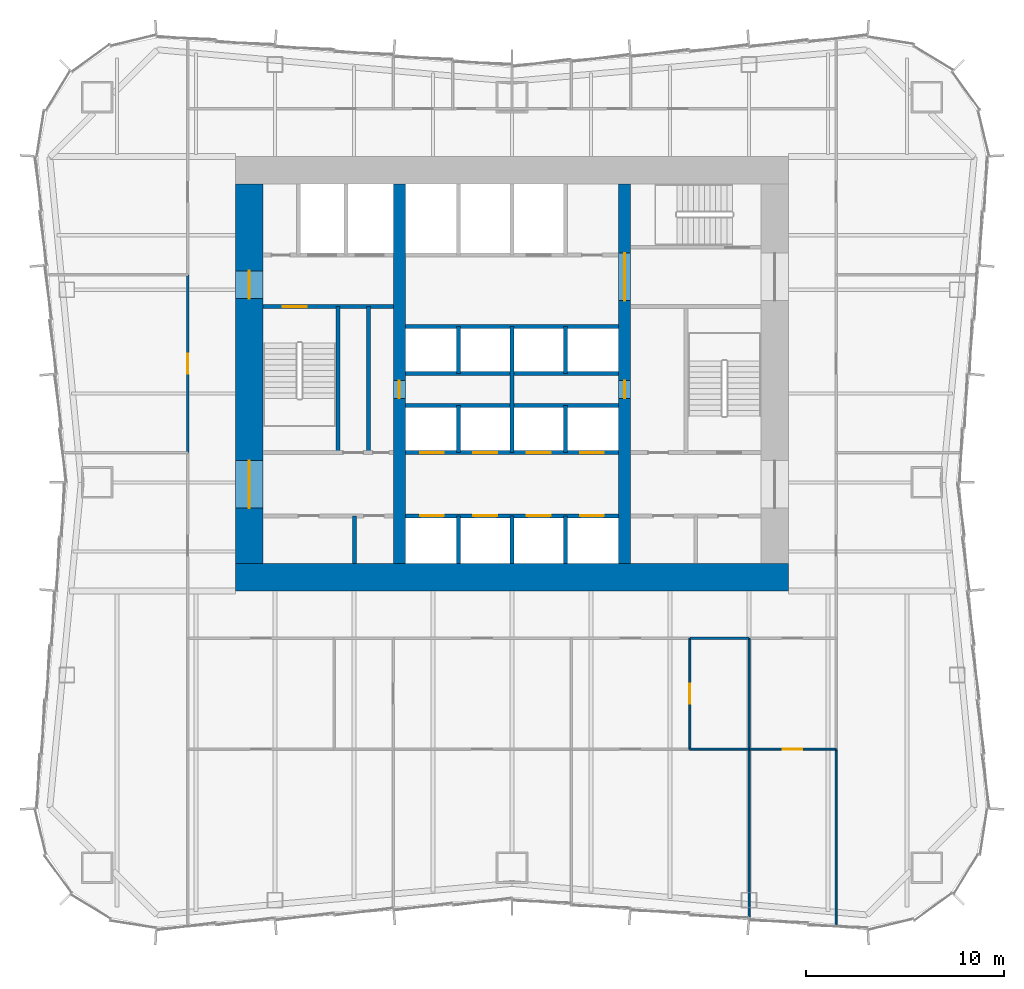
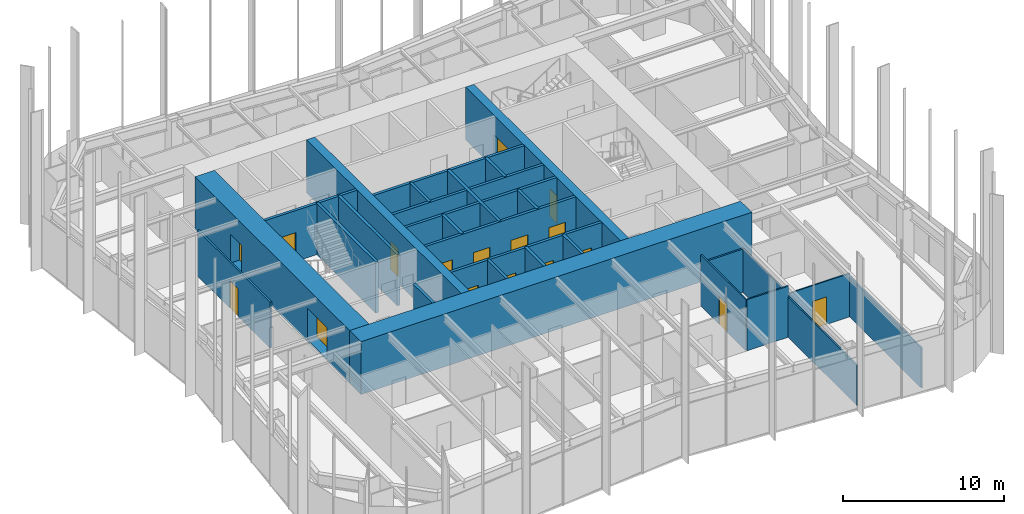
# One storey, part 10 of 13: 29 walls, 17 doors, 17 openings.
"""IFC4 building model written with IfcOpenShell, lengths in metres."""

from ifc_helpers import new_model, si_unit, direction, frame, frame_2d, origin, place, context, subcontext, project, spatial, rectangle, extrude, material, layer, layer_set, type_object, element, fill, save


model = new_model("IFC4")

# Units and contexts
model_context = context("Model", 3, precision=1e-05, world=origin(), true_north=direction((0.0, 1.0)))
body_context = subcontext(model_context, "Body", "Model", "MODEL_VIEW")
ifc_project = project(units=[si_unit("LENGTHUNIT", "METRE"), si_unit("AREAUNIT", "SQUARE_METRE"), si_unit("VOLUMEUNIT", "CUBIC_METRE"), si_unit("PLANEANGLEUNIT", "RADIAN"), si_unit("MASSUNIT", "GRAM", prefix="KILO")], contexts=[model_context])

# Site, building, storey
site_placement = place(None, origin())
site = spatial("IfcSite", under=ifc_project, at=site_placement, CompositionType="ELEMENT")
building_placement = place(site_placement, origin())
building = spatial("IfcBuilding", under=site, at=building_placement, Name="Verdant Reach Tower", CompositionType="ELEMENT")
storey_placement = place(building_placement, frame((0.0, 0.0, 38.0)))
storey = spatial("IfcBuildingStorey", under=building, at=storey_placement, Name="L08", CompositionType="ELEMENT", Elevation=38.0)

# Walls
ifc_material_1 = material(Name="Gypsum board on steel studs", Category="steel")
ifc_layer_1 = layer(ifc_material_1, 0.199951171875)
ifc_layer_set_1 = layer_set([ifc_layer_1], Name="CO-WALL-ROOM")
wall_type_1 = type_object("IfcWallType", Name="CO-WALL-ROOM", PredefinedType="PARTITIONING", material=ifc_layer_set_1)
wall_1_placement = place(storey_placement, frame((-7.97998046875, 18.39990234375, 0.0), z_axis=(0.0, 0.0, 1.0), x_axis=(0.0, 1.0, 0.0)))
element("IfcWall", 1, at=wall_1_placement, inside=storey, type_object=wall_type_1, Name="Core partition, L08", PredefinedType="PARTITIONING", context=body_context, shape_type="SweptSolid", body=[
    extrude(rectangle(XDim=2.400146484375, YDim=0.199951171875, at=frame_2d((1.2001953125, 0.0))), origin(), (0.0, 0.0, 1.0), 3.8701171875),
])
wall_2_placement = place(storey_placement, frame((-7.260009765625, 24.0, 0.0), z_axis=(0.0, 0.0, 1.0), x_axis=(0.0, 1.0, 0.0)))
element("IfcWall", 2, at=wall_2_placement, inside=storey, type_object=wall_type_1, Name="Core partition, L08", PredefinedType="PARTITIONING", context=body_context, shape_type="SweptSolid", body=[
    extrude(rectangle(XDim=7.39990234375, YDim=0.199951171875, at=frame_2d((3.699951171875, 0.0))), origin(), (0.0, 0.0, 1.0), 3.8701171875),
])

# Wall, openings, doors
ifc_material_2 = material(Name="Concrete C40/50", Category="concrete")
ifc_layer_2 = layer(ifc_material_2, 0.199951171875)
ifc_layer_set_2 = layer_set([ifc_layer_2], Name="CO-WALL-SHAFT")
wall_type_2 = type_object("IfcWallType", Name="CO-WALL-SHAFT", PredefinedType="PARTITIONING", material=ifc_layer_set_2)
wall_3_placement = place(storey_placement, frame((-5.39990234375, 20.800048828125, 0.0), z_axis=(0.0, 0.0, 1.0), x_axis=(1.0, 0.0, 0.0)))
wall_3 = element("IfcWall", 3, at=wall_3_placement, inside=storey, type_object=wall_type_2, Name="Lift shaft wall, L08", PredefinedType="PARTITIONING", context=body_context, shape_type="SweptSolid", body=[
    extrude(rectangle(XDim=10.7998046875, YDim=0.199951171875, at=frame_2d((5.39990234375, 0.0))), origin(), (0.0, 0.0, 1.0), 3.8701171875),
])
opening_1_placement = place(wall_3_placement, frame((0.75, 0.0, 0.0)))
opening_1 = element("IfcOpeningElement", 4, at=opening_1_placement, cuts=wall_3, Name="Opening LD-A1", PredefinedType="OPENING", context=body_context, shape_type="SweptSolid", body=[
    extrude(rectangle(XDim=1.199951171875, YDim=2.199951171875, at=frame_2d((0.60009765625, 1.10009765625))), frame((0.0, 0.10986328125, 0.0), z_axis=(0.0, -1.0, 0.0), x_axis=(1.0, 0.0, 0.0)), (0.0, 0.0, 1.0), 0.219970703125),
])
opening_2_placement = place(wall_3_placement, frame((3.449951171875, 0.0, 0.0)))
opening_2 = element("IfcOpeningElement", 5, at=opening_2_placement, cuts=wall_3, Name="Opening LD-A2", PredefinedType="OPENING", context=body_context, shape_type="SweptSolid", body=[
    extrude(rectangle(XDim=1.199951171875, YDim=2.199951171875, at=frame_2d((0.60009765625, 1.10009765625))), frame((0.0, 0.10986328125, 0.0), z_axis=(0.0, -1.0, 0.0), x_axis=(1.0, 0.0, 0.0)), (0.0, 0.0, 1.0), 0.219970703125),
])
opening_3_placement = place(wall_3_placement, frame((6.14990234375, 0.0, 0.0)))
opening_3 = element("IfcOpeningElement", 6, at=opening_3_placement, cuts=wall_3, Name="Opening LD-A3", PredefinedType="OPENING", context=body_context, shape_type="SweptSolid", body=[
    extrude(rectangle(XDim=1.199951171875, YDim=2.199951171875, at=frame_2d((0.60009765625, 1.10009765625))), frame((0.0, 0.10986328125, 0.0), z_axis=(0.0, -1.0, 0.0), x_axis=(1.0, 0.0, 0.0)), (0.0, 0.0, 1.0), 0.219970703125),
])
opening_4_placement = place(wall_3_placement, frame((8.85009765625, 0.0, 0.0)))
opening_4 = element("IfcOpeningElement", 7, at=opening_4_placement, cuts=wall_3, Name="Opening LD-A4", PredefinedType="OPENING", context=body_context, shape_type="SweptSolid", body=[
    extrude(rectangle(XDim=1.199951171875, YDim=2.199951171875, at=frame_2d((0.60009765625, 1.10009765625))), frame((0.0, 0.10986328125, 0.0), z_axis=(0.0, -1.0, 0.0), x_axis=(1.0, 0.0, 0.0)), (0.0, 0.0, 1.0), 0.219970703125),
])
ifc_material_3 = material(Name="Stainless steel", Category="steel")
door_type_1 = type_object("IfcDoorType", Name="CO-DOOR-LANDING", OperationType="SLIDING_TO_LEFT", PredefinedType="DOOR", material=ifc_material_3)
door_1_placement = place(opening_1_placement, origin())
door_1 = element("IfcDoor", 8, at=door_1_placement, inside=storey, type_object=door_type_1, Name="Landing door A1, L08", OperationType="SLIDING_TO_LEFT", OverallHeight=2.199951171875, OverallWidth=1.199951171875, PredefinedType="DOOR", context=body_context, shape_type="SweptSolid", body=[
    extrude(rectangle(XDim=1.199951171875, YDim=2.199951171875, at=frame_2d((0.60009765625, 1.10009765625))), frame((0.0, 0.02490234375, 0.0), z_axis=(0.0, -1.0, 0.0), x_axis=(1.0, 0.0, 0.0)), (0.0, 0.0, 1.0), 0.050048828125),
])
fill(opening_1, door_1)
door_2_placement = place(opening_2_placement, origin())
door_2 = element("IfcDoor", 9, at=door_2_placement, inside=storey, type_object=door_type_1, Name="Landing door A2, L08", OperationType="SLIDING_TO_LEFT", OverallHeight=2.199951171875, OverallWidth=1.199951171875, PredefinedType="DOOR", context=body_context, shape_type="SweptSolid", body=[
    extrude(rectangle(XDim=1.199951171875, YDim=2.199951171875, at=frame_2d((0.60009765625, 1.10009765625))), frame((0.0, 0.02490234375, 0.0), z_axis=(0.0, -1.0, 0.0), x_axis=(1.0, 0.0, 0.0)), (0.0, 0.0, 1.0), 0.050048828125),
])
fill(opening_2, door_2)
door_3_placement = place(opening_3_placement, origin())
door_3 = element("IfcDoor", 10, at=door_3_placement, inside=storey, type_object=door_type_1, Name="Landing door A3, L08", OperationType="SLIDING_TO_LEFT", OverallHeight=2.199951171875, OverallWidth=1.199951171875, PredefinedType="DOOR", context=body_context, shape_type="SweptSolid", body=[
    extrude(rectangle(XDim=1.199951171875, YDim=2.199951171875, at=frame_2d((0.60009765625, 1.10009765625))), frame((0.0, 0.02490234375, 0.0), z_axis=(0.0, -1.0, 0.0), x_axis=(1.0, 0.0, 0.0)), (0.0, 0.0, 1.0), 0.050048828125),
])
fill(opening_3, door_3)
door_4_placement = place(opening_4_placement, origin())
door_4 = element("IfcDoor", 11, at=door_4_placement, inside=storey, type_object=door_type_1, Name="Landing door A4, L08", OperationType="SLIDING_TO_LEFT", OverallHeight=2.199951171875, OverallWidth=1.199951171875, PredefinedType="DOOR", context=body_context, shape_type="SweptSolid", body=[
    extrude(rectangle(XDim=1.199951171875, YDim=2.199951171875, at=frame_2d((0.60009765625, 1.10009765625))), frame((0.0, 0.02490234375, 0.0), z_axis=(0.0, -1.0, 0.0), x_axis=(1.0, 0.0, 0.0)), (0.0, 0.0, 1.0), 0.050048828125),
])
fill(opening_4, door_4)

wall_4_placement = place(storey_placement, frame((-5.39990234375, 24.0, 0.0), z_axis=(0.0, 0.0, 1.0), x_axis=(1.0, 0.0, 0.0)))
wall_4 = element("IfcWall", 12, at=wall_4_placement, inside=storey, type_object=wall_type_2, Name="Lift shaft wall, L08", PredefinedType="PARTITIONING", context=body_context, shape_type="SweptSolid", body=[
    extrude(rectangle(XDim=10.7998046875, YDim=0.199951171875, at=frame_2d((5.39990234375, 0.0))), origin(), (0.0, 0.0, 1.0), 3.8701171875),
])
opening_5_placement = place(wall_4_placement, frame((0.75, 0.0, 0.0)))
opening_5 = element("IfcOpeningElement", 13, at=opening_5_placement, cuts=wall_4, Name="Opening LD-A5", PredefinedType="OPENING", context=body_context, shape_type="SweptSolid", body=[
    extrude(rectangle(XDim=1.199951171875, YDim=2.199951171875, at=frame_2d((0.60009765625, 1.10009765625))), frame((0.0, 0.10986328125, 0.0), z_axis=(0.0, -1.0, 0.0), x_axis=(1.0, 0.0, 0.0)), (0.0, 0.0, 1.0), 0.219970703125),
])
opening_6_placement = place(wall_4_placement, frame((3.449951171875, 0.0, 0.0)))
opening_6 = element("IfcOpeningElement", 14, at=opening_6_placement, cuts=wall_4, Name="Opening LD-A6", PredefinedType="OPENING", context=body_context, shape_type="SweptSolid", body=[
    extrude(rectangle(XDim=1.199951171875, YDim=2.199951171875, at=frame_2d((0.60009765625, 1.10009765625))), frame((0.0, 0.10986328125, 0.0), z_axis=(0.0, -1.0, 0.0), x_axis=(1.0, 0.0, 0.0)), (0.0, 0.0, 1.0), 0.219970703125),
])
opening_7_placement = place(wall_4_placement, frame((6.14990234375, 0.0, 0.0)))
opening_7 = element("IfcOpeningElement", 15, at=opening_7_placement, cuts=wall_4, Name="Opening LD-A7", PredefinedType="OPENING", context=body_context, shape_type="SweptSolid", body=[
    extrude(rectangle(XDim=1.199951171875, YDim=2.199951171875, at=frame_2d((0.60009765625, 1.10009765625))), frame((0.0, 0.10986328125, 0.0), z_axis=(0.0, -1.0, 0.0), x_axis=(1.0, 0.0, 0.0)), (0.0, 0.0, 1.0), 0.219970703125),
])
opening_8_placement = place(wall_4_placement, frame((8.85009765625, 0.0, 0.0)))
opening_8 = element("IfcOpeningElement", 16, at=opening_8_placement, cuts=wall_4, Name="Opening LD-A8", PredefinedType="OPENING", context=body_context, shape_type="SweptSolid", body=[
    extrude(rectangle(XDim=1.199951171875, YDim=2.199951171875, at=frame_2d((0.60009765625, 1.10009765625))), frame((0.0, 0.10986328125, 0.0), z_axis=(0.0, -1.0, 0.0), x_axis=(1.0, 0.0, 0.0)), (0.0, 0.0, 1.0), 0.219970703125),
])
door_5_placement = place(opening_5_placement, origin())
door_5 = element("IfcDoor", 17, at=door_5_placement, inside=storey, type_object=door_type_1, Name="Landing door A5, L08", OperationType="SLIDING_TO_LEFT", OverallHeight=2.199951171875, OverallWidth=1.199951171875, PredefinedType="DOOR", context=body_context, shape_type="SweptSolid", body=[
    extrude(rectangle(XDim=1.199951171875, YDim=2.199951171875, at=frame_2d((0.60009765625, 1.10009765625))), frame((0.0, 0.02490234375, 0.0), z_axis=(0.0, -1.0, 0.0), x_axis=(1.0, 0.0, 0.0)), (0.0, 0.0, 1.0), 0.050048828125),
])
fill(opening_5, door_5)
door_6_placement = place(opening_6_placement, origin())
door_6 = element("IfcDoor", 18, at=door_6_placement, inside=storey, type_object=door_type_1, Name="Landing door A6, L08", OperationType="SLIDING_TO_LEFT", OverallHeight=2.199951171875, OverallWidth=1.199951171875, PredefinedType="DOOR", context=body_context, shape_type="SweptSolid", body=[
    extrude(rectangle(XDim=1.199951171875, YDim=2.199951171875, at=frame_2d((0.60009765625, 1.10009765625))), frame((0.0, 0.02490234375, 0.0), z_axis=(0.0, -1.0, 0.0), x_axis=(1.0, 0.0, 0.0)), (0.0, 0.0, 1.0), 0.050048828125),
])
fill(opening_6, door_6)
door_7_placement = place(opening_7_placement, origin())
door_7 = element("IfcDoor", 19, at=door_7_placement, inside=storey, type_object=door_type_1, Name="Landing door A7, L08", OperationType="SLIDING_TO_LEFT", OverallHeight=2.199951171875, OverallWidth=1.199951171875, PredefinedType="DOOR", context=body_context, shape_type="SweptSolid", body=[
    extrude(rectangle(XDim=1.199951171875, YDim=2.199951171875, at=frame_2d((0.60009765625, 1.10009765625))), frame((0.0, 0.02490234375, 0.0), z_axis=(0.0, -1.0, 0.0), x_axis=(1.0, 0.0, 0.0)), (0.0, 0.0, 1.0), 0.050048828125),
])
fill(opening_7, door_7)
door_8_placement = place(opening_8_placement, origin())
door_8 = element("IfcDoor", 20, at=door_8_placement, inside=storey, type_object=door_type_1, Name="Landing door A8, L08", OperationType="SLIDING_TO_LEFT", OverallHeight=2.199951171875, OverallWidth=1.199951171875, PredefinedType="DOOR", context=body_context, shape_type="SweptSolid", body=[
    extrude(rectangle(XDim=1.199951171875, YDim=2.199951171875, at=frame_2d((0.60009765625, 1.10009765625))), frame((0.0, 0.02490234375, 0.0), z_axis=(0.0, -1.0, 0.0), x_axis=(1.0, 0.0, 0.0)), (0.0, 0.0, 1.0), 0.050048828125),
])
fill(opening_8, door_8)

# Walls
for number, where, z_axis, x_axis, name in (
    (21, (-5.39990234375, 26.39990234375, 0.0), (0.0, 0.0, 1.0), (1.0, 0.0, 0.0), "Lift shaft wall, L08"),
    (22, (-5.39990234375, 28.0, 0.0), (0.0, 0.0, 1.0), (1.0, 0.0, 0.0), "Lift shaft wall, L08"),
    (23, (-5.39990234375, 30.39990234375, 0.0), (0.0, 0.0, 1.0), (1.0, 0.0, 0.0), "Lift shaft wall, L08"),
):
    element("IfcWall", number, at=place(storey_placement, frame(where, z_axis=z_axis, x_axis=x_axis)), inside=storey, type_object=wall_type_2, Name=name, PredefinedType="PARTITIONING", context=body_context, shape_type="SweptSolid", body=[
        extrude(rectangle(XDim=10.7998046875, YDim=0.199951171875, at=frame_2d((5.39990234375, 0.0))), origin(), (0.0, 0.0, 1.0), 3.8701171875),
    ])
wall_5_placement = place(storey_placement, frame((-2.699951171875, 18.39990234375, 0.0), z_axis=(0.0, 0.0, 1.0), x_axis=(0.0, 1.0, 0.0)))
element("IfcWall", 24, at=wall_5_placement, inside=storey, type_object=wall_type_2, Name="Lift shaft wall, L08", PredefinedType="PARTITIONING", context=body_context, shape_type="SweptSolid", body=[
    extrude(rectangle(XDim=2.400146484375, YDim=0.199951171875, at=frame_2d((1.2001953125, 0.0))), origin(), (0.0, 0.0, 1.0), 3.8701171875),
])
for number, where, z_axis, x_axis, name in (
    (25, (-2.699951171875, 24.0, 0.0), (0.0, 0.0, 1.0), (0.0, 1.0, 0.0), "Lift shaft wall, L08"),
    (26, (-2.699951171875, 28.0, 0.0), (0.0, 0.0, 1.0), (0.0, 1.0, 0.0), "Lift shaft wall, L08"),
):
    element("IfcWall", number, at=place(storey_placement, frame(where, z_axis=z_axis, x_axis=x_axis)), inside=storey, type_object=wall_type_2, Name=name, PredefinedType="PARTITIONING", context=body_context, shape_type="SweptSolid", body=[
        extrude(rectangle(XDim=2.39990234375, YDim=0.199951171875, at=frame_2d((1.199951171875, 0.0))), origin(), (0.0, 0.0, 1.0), 3.8701171875),
    ])
wall_6_placement = place(storey_placement, frame((0.0, 18.39990234375, 0.0), z_axis=(0.0, 0.0, 1.0), x_axis=(0.0, 1.0, 0.0)))
element("IfcWall", 27, at=wall_6_placement, inside=storey, type_object=wall_type_2, Name="Lift shaft wall, L08", PredefinedType="PARTITIONING", context=body_context, shape_type="SweptSolid", body=[
    extrude(rectangle(XDim=2.400146484375, YDim=0.199951171875, at=frame_2d((1.2001953125, 0.0))), origin(), (0.0, 0.0, 1.0), 3.8701171875),
])
wall_7_placement = place(storey_placement, frame((0.0, 24.0, 0.0), z_axis=(0.0, 0.0, 1.0), x_axis=(0.0, 1.0, 0.0)))
element("IfcWall", 28, at=wall_7_placement, inside=storey, type_object=wall_type_2, Name="Lift shaft wall, L08", PredefinedType="PARTITIONING", context=body_context, shape_type="SweptSolid", body=[
    extrude(rectangle(XDim=6.39990234375, YDim=0.199951171875, at=frame_2d((3.199951171875, 0.0))), origin(), (0.0, 0.0, 1.0), 3.8701171875),
])
wall_8_placement = place(storey_placement, frame((2.699951171875, 18.39990234375, 0.0), z_axis=(0.0, 0.0, 1.0), x_axis=(0.0, 1.0, 0.0)))
element("IfcWall", 29, at=wall_8_placement, inside=storey, type_object=wall_type_2, Name="Lift shaft wall, L08", PredefinedType="PARTITIONING", context=body_context, shape_type="SweptSolid", body=[
    extrude(rectangle(XDim=2.400146484375, YDim=0.199951171875, at=frame_2d((1.2001953125, 0.0))), origin(), (0.0, 0.0, 1.0), 3.8701171875),
])
for number, where, z_axis, x_axis, name in (
    (30, (2.699951171875, 24.0, 0.0), (0.0, 0.0, 1.0), (0.0, 1.0, 0.0), "Lift shaft wall, L08"),
    (31, (2.699951171875, 28.0, 0.0), (0.0, 0.0, 1.0), (0.0, 1.0, 0.0), "Lift shaft wall, L08"),
):
    element("IfcWall", number, at=place(storey_placement, frame(where, z_axis=z_axis, x_axis=x_axis)), inside=storey, type_object=wall_type_2, Name=name, PredefinedType="PARTITIONING", context=body_context, shape_type="SweptSolid", body=[
        extrude(rectangle(XDim=2.39990234375, YDim=0.199951171875, at=frame_2d((1.199951171875, 0.0))), origin(), (0.0, 0.0, 1.0), 3.8701171875),
    ])

# Wall, opening, door
ifc_layer_3 = layer(ifc_material_2, 0.199951171875)
ifc_layer_set_3 = layer_set([ifc_layer_3], Name="CO-WALL-STAIR")
wall_type_3 = type_object("IfcWallType", Name="CO-WALL-STAIR", PredefinedType="PARTITIONING", material=ifc_layer_set_3)
wall_9_placement = place(storey_placement, frame((-12.60009765625, 31.39990234375, 0.0), z_axis=(0.0, 0.0, 1.0), x_axis=(1.0, 0.0, 0.0)))
wall_9 = element("IfcWall", 32, at=wall_9_placement, inside=storey, type_object=wall_type_3, Name="Stair enclosure wall, L08", PredefinedType="PARTITIONING", context=body_context, shape_type="SweptSolid", body=[
    extrude(rectangle(XDim=6.60009765625, YDim=0.199951171875, at=frame_2d((3.300048828125, 0.0))), origin(), (0.0, 0.0, 1.0), 3.8701171875),
])
opening_9_placement = place(wall_9_placement, frame((1.0, 0.0, 0.0)))
opening_9 = element("IfcOpeningElement", 33, at=opening_9_placement, cuts=wall_9, Name="Opening SD", PredefinedType="OPENING", context=body_context, shape_type="SweptSolid", body=[
    extrude(rectangle(XDim=1.199951171875, YDim=2.199951171875, at=frame_2d((0.60009765625, 1.10009765625))), frame((0.0, 0.10986328125, 0.0), z_axis=(0.0, -1.0, 0.0), x_axis=(1.0, 0.0, 0.0)), (0.0, 0.0, 1.0), 0.219970703125),
])
ifc_material_4 = material(Name="Steel", Category="steel")
door_type_2 = type_object("IfcDoorType", Name="CO-DOOR-STAIR", OperationType="NOTDEFINED", PredefinedType="DOOR", material=ifc_material_4)
door_9_placement = place(opening_9_placement, origin())
door_9 = element("IfcDoor", 34, at=door_9_placement, inside=storey, type_object=door_type_2, Name="Stair door, L08", OperationType="SINGLE_SWING_RIGHT", OverallHeight=2.199951171875, OverallWidth=1.199951171875, PredefinedType="DOOR", context=body_context, shape_type="SweptSolid", body=[
    extrude(rectangle(XDim=1.199951171875, YDim=2.199951171875, at=frame_2d((0.60009765625, 1.10009765625))), frame((0.0, 0.02490234375, 0.0), z_axis=(0.0, -1.0, 0.0), x_axis=(1.0, 0.0, 0.0)), (0.0, 0.0, 1.0), 0.050048828125),
])
fill(opening_9, door_9)

# Wall
wall_10_placement = place(storey_placement, frame((-8.800048828125, 24.0, 0.0), z_axis=(0.0, 0.0, 1.0), x_axis=(0.0, 1.0, 0.0)))
element("IfcWall", 35, at=wall_10_placement, inside=storey, type_object=wall_type_3, Name="Stair enclosure wall, L08", PredefinedType="PARTITIONING", context=body_context, shape_type="SweptSolid", body=[
    extrude(rectangle(XDim=7.39990234375, YDim=0.199951171875, at=frame_2d((3.699951171875, 0.0))), origin(), (0.0, 0.0, 1.0), 3.8701171875),
])

# Wall, opening, door
ifc_layer_4 = layer(ifc_material_1, 0.10009765625)
ifc_layer_set_4 = layer_set([ifc_layer_4], Name="FL-W1 Partition 100")
wall_type_4 = type_object("IfcWallType", Name="FL-W1 Partition 100", PredefinedType="PARTITIONING", material=ifc_layer_set_4)
wall_11_placement = place(storey_placement, frame((9.0, 14.60009765625, 0.0), z_axis=(0.0, 0.0, 1.0), x_axis=(0.0, -1.0, 0.0)))
wall_11 = element("IfcWall", 36, at=wall_11_placement, inside=storey, type_object=wall_type_4, Name="Partition 08.29", PredefinedType="PARTITIONING", context=body_context, shape_type="SweptSolid", body=[
    extrude(rectangle(XDim=5.60009765625, YDim=0.10009765625, at=frame_2d((2.800048828125, 0.0))), origin(), (0.0, 0.0, 1.0), 3.8701171875),
])
opening_10_placement = place(wall_11_placement, frame((2.300048828125, 0.0, 0.0)))
opening_10 = element("IfcOpeningElement", 37, at=opening_10_placement, cuts=wall_11, Name="Opening D3", PredefinedType="OPENING", context=body_context, shape_type="SweptSolid", body=[
    extrude(rectangle(XDim=1.0, YDim=2.10009765625, at=frame_2d((0.5, 1.050048828125))), frame((0.0, 0.06005859375, 0.0), z_axis=(0.0, -1.0, 0.0), x_axis=(1.0, 0.0, 0.0)), (0.0, 0.0, 1.0), 0.1201171875),
])
ifc_material_5 = material(Name="Painted timber door leaf", Category="wood")
door_type_3 = type_object("IfcDoorType", Name="FL-D3 Door 1000x2100", OperationType="NOTDEFINED", PredefinedType="DOOR", material=ifc_material_5)
door_10_placement = place(opening_10_placement, origin())
door_10 = element("IfcDoor", 38, at=door_10_placement, inside=storey, type_object=door_type_3, Name="Door 08-020", OperationType="SINGLE_SWING_RIGHT", OverallHeight=2.10009765625, OverallWidth=1.0, PredefinedType="DOOR", context=body_context, shape_type="SweptSolid", body=[
    extrude(rectangle(XDim=1.0, YDim=2.10009765625, at=frame_2d((0.5, 1.050048828125))), frame((0.0, 0.02490234375, 0.0), z_axis=(0.0, -1.0, 0.0), x_axis=(1.0, 0.0, 0.0)), (0.0, 0.0, 1.0), 0.050048828125),
])
fill(opening_10, door_10)

# Walls
wall_12_placement = place(storey_placement, frame((12.0, 9.0, 0.0), z_axis=(0.0, 0.0, 1.0), x_axis=(0.0, 1.0, 0.0)))
element("IfcWall", 39, at=wall_12_placement, inside=storey, type_object=wall_type_4, Name="Partition 08.31", PredefinedType="PARTITIONING", context=body_context, shape_type="SweptSolid", body=[
    extrude(rectangle(XDim=5.60009765625, YDim=0.10009765625, at=frame_2d((2.800048828125, 0.0))), origin(), (0.0, 0.0, 1.0), 3.2900390625),
])
wall_13_placement = place(storey_placement, frame((8.99609375, 9.0, 0.0), z_axis=(0.0, 0.0, 1.0), x_axis=(1.0, 0.0, 0.0)))
element("IfcWall", 40, at=wall_13_placement, inside=storey, type_object=wall_type_4, Name="Partition 08.32", PredefinedType="PARTITIONING", context=body_context, shape_type="SweptSolid", body=[
    extrude(rectangle(XDim=3.00390625, YDim=0.10009765625, at=frame_2d((1.501953125, 0.0))), origin(), (0.0, 0.0, 1.0), 3.8701171875),
])

# Wall, opening, door
wall_14_placement = place(storey_placement, frame((16.39990234375, 9.0, 0.0), z_axis=(0.0, 0.0, 1.0), x_axis=(-1.0, 0.0, 0.0)))
wall_14 = element("IfcWall", 41, at=wall_14_placement, inside=storey, type_object=wall_type_4, Name="Partition 08.33", PredefinedType="PARTITIONING", context=body_context, shape_type="SweptSolid", body=[
    extrude(rectangle(XDim=4.39990234375, YDim=0.10009765625, at=frame_2d((2.199951171875, 0.0))), origin(), (0.0, 0.0, 1.0), 3.2900390625),
])
opening_11_placement = place(wall_14_placement, frame((1.699951171875, 0.0, 0.0)))
opening_11 = element("IfcOpeningElement", 42, at=opening_11_placement, cuts=wall_14, Name="Opening D3", PredefinedType="OPENING", context=body_context, shape_type="SweptSolid", body=[
    extrude(rectangle(XDim=1.0, YDim=2.10009765625, at=frame_2d((0.5, 1.050048828125))), frame((0.0, 0.06005859375, 0.0), z_axis=(0.0, -1.0, 0.0), x_axis=(1.0, 0.0, 0.0)), (0.0, 0.0, 1.0), 0.1201171875),
])
door_11_placement = place(opening_11_placement, origin())
door_11 = element("IfcDoor", 43, at=door_11_placement, inside=storey, type_object=door_type_3, Name="Door 08-022", OperationType="SINGLE_SWING_RIGHT", OverallHeight=2.10009765625, OverallWidth=1.0, PredefinedType="DOOR", context=body_context, shape_type="SweptSolid", body=[
    extrude(rectangle(XDim=1.0, YDim=2.10009765625, at=frame_2d((0.5, 1.050048828125))), frame((0.0, 0.02490234375, 0.0), z_axis=(0.0, -1.0, 0.0), x_axis=(1.0, 0.0, 0.0)), (0.0, 0.0, 1.0), 0.050048828125),
])
fill(opening_11, door_11)

# Walls
wall_15_placement = place(storey_placement, frame((12.0, 0.419921875, 0.0), z_axis=(0.0, 0.0, 1.0), x_axis=(0.0, 1.0, 0.0)))
element("IfcWall", 44, at=wall_15_placement, inside=storey, type_object=wall_type_4, Name="Partition 08.35", PredefinedType="PARTITIONING", context=body_context, shape_type="SweptSolid", body=[
    extrude(rectangle(XDim=8.580078125, YDim=0.10009765625, at=frame_2d((4.2900390625, 0.0))), origin(), (0.0, 0.0, 1.0), 3.0400390625),
])
wall_16_placement = place(storey_placement, frame((16.39990234375, 0.05322265625, 0.0), z_axis=(0.0, 0.0, 1.0), x_axis=(0.0, 1.0, 0.0)))
element("IfcWall", 45, at=wall_16_placement, inside=storey, type_object=wall_type_4, Name="Partition 08.36", PredefinedType="PARTITIONING", context=body_context, shape_type="SweptSolid", body=[
    extrude(rectangle(XDim=8.95068359375, YDim=0.10009765625, at=frame_2d((4.475341796875, 0.0))), origin(), (0.0, 0.0, 1.0), 3.0400390625),
])
ifc_material_6 = material(Name="Gypsum board on steel studs, fire rated", Category="steel")
ifc_layer_5 = layer(ifc_material_6, 0.125)
ifc_layer_set_5 = layer_set([ifc_layer_5], Name="FL-W2 Corridor wall 125")
wall_type_5 = type_object("IfcWallType", Name="FL-W2 Corridor wall 125", PredefinedType="PARTITIONING", material=ifc_layer_set_5)
wall_17_placement = place(storey_placement, frame((9.0, 14.60009765625, 0.0), z_axis=(0.0, 0.0, 1.0), x_axis=(1.0, 0.0, 0.0)))
element("IfcWall", 46, at=wall_17_placement, inside=storey, type_object=wall_type_5, Name="Partition 08.05", PredefinedType="PARTITIONING", context=body_context, shape_type="SweptSolid", body=[
    extrude(rectangle(XDim=3.0, YDim=0.125, at=frame_2d((1.5, 0.0))), origin(), (0.0, 0.0, 1.0), 3.2900390625),
])

# Wall, opening, door
wall_18_placement = place(storey_placement, frame((-16.39990234375, 24.0, 0.0), z_axis=(0.0, 0.0, 1.0), x_axis=(0.0, 1.0, 0.0)))
wall_18 = element("IfcWall", 47, at=wall_18_placement, inside=storey, type_object=wall_type_5, Name="Partition 08.14", PredefinedType="PARTITIONING", context=body_context, shape_type="SweptSolid", body=[
    extrude(rectangle(XDim=9.0, YDim=0.125, at=frame_2d((4.5, 0.0))), origin(), (0.0, 0.0, 1.0), 3.47998046875),
])
opening_12_placement = place(wall_18_placement, frame((4.0, 0.0, 0.0)))
opening_12 = element("IfcOpeningElement", 48, at=opening_12_placement, cuts=wall_18, Name="Opening D2", PredefinedType="OPENING", context=body_context, shape_type="SweptSolid", body=[
    extrude(rectangle(XDim=1.0, YDim=2.10009765625, at=frame_2d((0.5, 1.050048828125))), frame((0.0, 0.072509765625, 0.0), z_axis=(0.0, -1.0, 0.0), x_axis=(1.0, 0.0, 0.0)), (0.0, 0.0, 1.0), 0.14501953125),
])
ifc_material_7 = material(Name="Timber door leaf, fire rated", Category="wood")
door_type_4 = type_object("IfcDoorType", Name="FL-D2 Entrance door 1000x2100 FD30", OperationType="NOTDEFINED", PredefinedType="DOOR", material=ifc_material_7)
door_12_placement = place(opening_12_placement, origin())
door_12 = element("IfcDoor", 49, at=door_12_placement, inside=storey, type_object=door_type_4, Name="Door 08-012", OperationType="SINGLE_SWING_RIGHT", OverallHeight=2.10009765625, OverallWidth=1.0, PredefinedType="DOOR", context=body_context, shape_type="SweptSolid", body=[
    extrude(rectangle(XDim=1.0, YDim=2.10009765625, at=frame_2d((0.5, 1.050048828125))), frame((0.0, 0.02490234375, 0.0), z_axis=(0.0, -1.0, 0.0), x_axis=(1.0, 0.0, 0.0)), (0.0, 0.0, 1.0), 0.050048828125),
])
fill(opening_12, door_12)

# Wall
ifc_material_8 = material(Name="Concrete C70/85", Category="concrete")
ifc_layer_6 = layer(ifc_material_8, 1.39990234375)
ifc_layer_set_6 = layer_set([ifc_layer_6], Name="ST-CORE-WALL-1400")
wall_type_6 = type_object("IfcWallType", Name="ST-CORE-WALL-1400", PredefinedType="SHEAR", material=ifc_layer_set_6)
wall_19_placement = place(storey_placement, frame((-14.0, 17.699951171875, -0.1298828125), z_axis=(0.0, 0.0, 1.0), x_axis=(1.0, 0.0, 0.0)))
element("IfcWall", 50, at=wall_19_placement, inside=storey, type_object=wall_type_6, Name="Core wall S, L08", PredefinedType="SHEAR", context=body_context, shape_type="SweptSolid", body=[
    extrude(rectangle(XDim=28.0, YDim=1.39990234375, at=frame_2d((14.0, 0.0))), origin(), (0.0, 0.0, 1.0), 4.0),
])

# Wall, openings, doors
wall_20_placement = place(storey_placement, frame((-13.300048828125, 18.39990234375, -0.1298828125), z_axis=(0.0, 0.0, 1.0), x_axis=(0.0, 1.0, 0.0)))
wall_20 = element("IfcWall", 51, at=wall_20_placement, inside=storey, type_object=wall_type_6, Name="Core wall W, L08", PredefinedType="SHEAR", context=body_context, shape_type="SweptSolid", body=[
    extrude(rectangle(XDim=19.2001953125, YDim=1.39990234375, at=frame_2d((9.60009765625, 0.0))), origin(), (0.0, 0.0, 1.0), 4.0),
])
opening_13_placement = place(wall_20_placement, frame((2.800048828125, 0.0, 0.1298828125)))
opening_13 = element("IfcOpeningElement", 52, at=opening_13_placement, cuts=wall_20, Name="Opening LB", PredefinedType="OPENING", context=body_context, shape_type="SweptSolid", body=[
    extrude(rectangle(XDim=2.39990234375, YDim=2.39990234375, at=frame_2d((1.199951171875, 1.199951171875))), frame((0.0, 0.7099609375, 0.0), z_axis=(0.0, -1.0, 0.0), x_axis=(1.0, 0.0, 0.0)), (0.0, 0.0, 1.0), 1.419921875),
])
opening_14_placement = place(wall_20_placement, frame((13.39990234375, 0.0, 0.1298828125)))
opening_14 = element("IfcOpeningElement", 53, at=opening_14_placement, cuts=wall_20, Name="Opening FL", PredefinedType="OPENING", context=body_context, shape_type="SweptSolid", body=[
    extrude(rectangle(XDim=1.39990234375, YDim=2.199951171875, at=frame_2d((0.699951171875, 1.10009765625))), frame((0.0, 0.7099609375, 0.0), z_axis=(0.0, -1.0, 0.0), x_axis=(1.0, 0.0, 0.0)), (0.0, 0.0, 1.0), 1.419921875),
])
door_type_5 = type_object("IfcDoorType", Name="CO-DOOR-FFL", OperationType="NOTDEFINED", PredefinedType="DOOR", material=ifc_material_4)
door_13_placement = place(opening_14_placement, origin())
door_13 = element("IfcDoor", 54, at=door_13_placement, inside=storey, type_object=door_type_5, Name="Core entrance door, L08", OperationType="SINGLE_SWING_RIGHT", OverallHeight=2.199951171875, OverallWidth=1.39990234375, PredefinedType="DOOR", context=body_context, shape_type="SweptSolid", body=[
    extrude(rectangle(XDim=1.39990234375, YDim=2.199951171875, at=frame_2d((0.699951171875, 1.10009765625))), frame((0.0, 0.02490234375, 0.0), z_axis=(0.0, -1.0, 0.0), x_axis=(1.0, 0.0, 0.0)), (0.0, 0.0, 1.0), 0.050048828125),
])
fill(opening_14, door_13)
ifc_material_9 = material(Name="Glass and steel", Category="steel")
door_type_6 = type_object("IfcDoorType", Name="CO-DOOR-LOBBY", OperationType="DOUBLE_DOOR_SINGLE_SWING", PredefinedType="DOOR", material=ifc_material_9)
door_14_placement = place(opening_13_placement, origin())
door_14 = element("IfcDoor", 55, at=door_14_placement, inside=storey, type_object=door_type_6, Name="Core entrance door, L08", OperationType="DOUBLE_DOOR_SINGLE_SWING", OverallHeight=2.39990234375, OverallWidth=2.39990234375, PredefinedType="DOOR", context=body_context, shape_type="SweptSolid", body=[
    extrude(rectangle(XDim=2.39990234375, YDim=2.39990234375, at=frame_2d((1.199951171875, 1.199951171875))), frame((0.0, 0.02490234375, 0.0), z_axis=(0.0, -1.0, 0.0), x_axis=(1.0, 0.0, 0.0)), (0.0, 0.0, 1.0), 0.050048828125),
])
fill(opening_13, door_14)

# Wall, opening, door
ifc_layer_7 = layer(ifc_material_8, 0.60009765625)
ifc_layer_set_7 = layer_set([ifc_layer_7], Name="ST-CORE-WALL-600")
wall_type_7 = type_object("IfcWallType", Name="ST-CORE-WALL-600", PredefinedType="SHEAR", material=ifc_layer_set_7)
wall_21_placement = place(storey_placement, frame((-5.699951171875, 18.39990234375, -0.1298828125), z_axis=(0.0, 0.0, 1.0), x_axis=(0.0, 1.0, 0.0)))
wall_21 = element("IfcWall", 56, at=wall_21_placement, inside=storey, type_object=wall_type_7, Name="Core wall XW, L08", PredefinedType="SHEAR", context=body_context, shape_type="SweptSolid", body=[
    extrude(rectangle(XDim=19.2001953125, YDim=0.60009765625, at=frame_2d((9.60009765625, 0.0))), origin(), (0.0, 0.0, 1.0), 4.0),
])
opening_15_placement = place(wall_21_placement, frame((8.35009765625, 0.0, 0.1298828125)))
opening_15 = element("IfcOpeningElement", 57, at=opening_15_placement, cuts=wall_21, Name="Opening RD", PredefinedType="OPENING", context=body_context, shape_type="SweptSolid", body=[
    extrude(rectangle(XDim=0.89990234375, YDim=2.10009765625, at=frame_2d((0.449951171875, 1.050048828125))), frame((0.0, 0.31005859375, 0.0), z_axis=(0.0, -1.0, 0.0), x_axis=(1.0, 0.0, 0.0)), (0.0, 0.0, 1.0), 0.6201171875),
])
door_type_7 = type_object("IfcDoorType", Name="CO-DOOR-RISER", OperationType="NOTDEFINED", PredefinedType="DOOR", material=ifc_material_4)
door_15_placement = place(opening_15_placement, origin())
door_15 = element("IfcDoor", 58, at=door_15_placement, inside=storey, type_object=door_type_7, Name="Riser door, L08", OperationType="SINGLE_SWING_LEFT", OverallHeight=2.10009765625, OverallWidth=0.89990234375, PredefinedType="DOOR", context=body_context, shape_type="SweptSolid", body=[
    extrude(rectangle(XDim=0.89990234375, YDim=2.10009765625, at=frame_2d((0.449951171875, 1.050048828125))), frame((0.0, 0.02490234375, 0.0), z_axis=(0.0, -1.0, 0.0), x_axis=(1.0, 0.0, 0.0)), (0.0, 0.0, 1.0), 0.050048828125),
])
fill(opening_15, door_15)

# Wall, openings, doors
wall_22_placement = place(storey_placement, frame((5.699951171875, 18.39990234375, -0.1298828125), z_axis=(0.0, 0.0, 1.0), x_axis=(0.0, 1.0, 0.0)))
wall_22 = element("IfcWall", 59, at=wall_22_placement, inside=storey, type_object=wall_type_7, Name="Core wall XE, L08", PredefinedType="SHEAR", context=body_context, shape_type="SweptSolid", body=[
    extrude(rectangle(XDim=19.2001953125, YDim=0.60009765625, at=frame_2d((9.60009765625, 0.0))), origin(), (0.0, 0.0, 1.0), 4.0),
])
opening_16_placement = place(wall_22_placement, frame((8.35009765625, 0.0, 0.1298828125)))
opening_16 = element("IfcOpeningElement", 60, at=opening_16_placement, cuts=wall_22, Name="Opening RD", PredefinedType="OPENING", context=body_context, shape_type="SweptSolid", body=[
    extrude(rectangle(XDim=0.89990234375, YDim=2.10009765625, at=frame_2d((0.449951171875, 1.050048828125))), frame((0.0, 0.31005859375, 0.0), z_axis=(0.0, -1.0, 0.0), x_axis=(1.0, 0.0, 0.0)), (0.0, 0.0, 1.0), 0.6201171875),
])
opening_17_placement = place(wall_22_placement, frame((13.300048828125, 0.0, 0.1298828125)))
opening_17 = element("IfcOpeningElement", 61, at=opening_17_placement, cuts=wall_22, Name="Opening LB", PredefinedType="OPENING", context=body_context, shape_type="SweptSolid", body=[
    extrude(rectangle(XDim=2.39990234375, YDim=2.39990234375, at=frame_2d((1.199951171875, 1.199951171875))), frame((0.0, 0.31005859375, 0.0), z_axis=(0.0, -1.0, 0.0), x_axis=(1.0, 0.0, 0.0)), (0.0, 0.0, 1.0), 0.6201171875),
])
door_16_placement = place(opening_17_placement, origin())
door_16 = element("IfcDoor", 62, at=door_16_placement, inside=storey, type_object=door_type_6, Name="Core entrance door, L08", OperationType="DOUBLE_DOOR_SINGLE_SWING", OverallHeight=2.39990234375, OverallWidth=2.39990234375, PredefinedType="DOOR", context=body_context, shape_type="SweptSolid", body=[
    extrude(rectangle(XDim=2.39990234375, YDim=2.39990234375, at=frame_2d((1.199951171875, 1.199951171875))), frame((0.0, 0.02490234375, 0.0), z_axis=(0.0, -1.0, 0.0), x_axis=(1.0, 0.0, 0.0)), (0.0, 0.0, 1.0), 0.050048828125),
])
fill(opening_17, door_16)
door_17_placement = place(opening_16_placement, origin())
door_17 = element("IfcDoor", 63, at=door_17_placement, inside=storey, type_object=door_type_7, Name="Riser door, L08", OperationType="SINGLE_SWING_RIGHT", OverallHeight=2.10009765625, OverallWidth=0.89990234375, PredefinedType="DOOR", context=body_context, shape_type="SweptSolid", body=[
    extrude(rectangle(XDim=0.89990234375, YDim=2.10009765625, at=frame_2d((0.449951171875, 1.050048828125))), frame((0.0, 0.02490234375, 0.0), z_axis=(0.0, -1.0, 0.0), x_axis=(1.0, 0.0, 0.0)), (0.0, 0.0, 1.0), 0.050048828125),
])
fill(opening_16, door_17)

save(model, "model.ifc")
